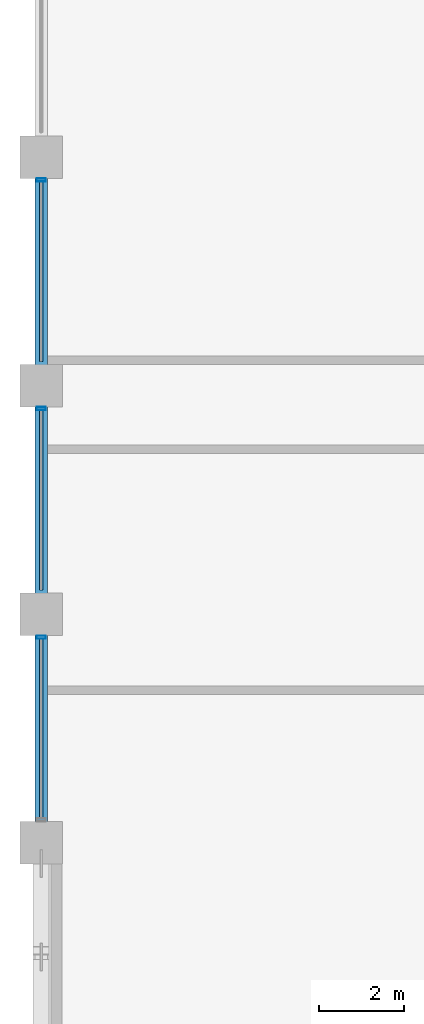
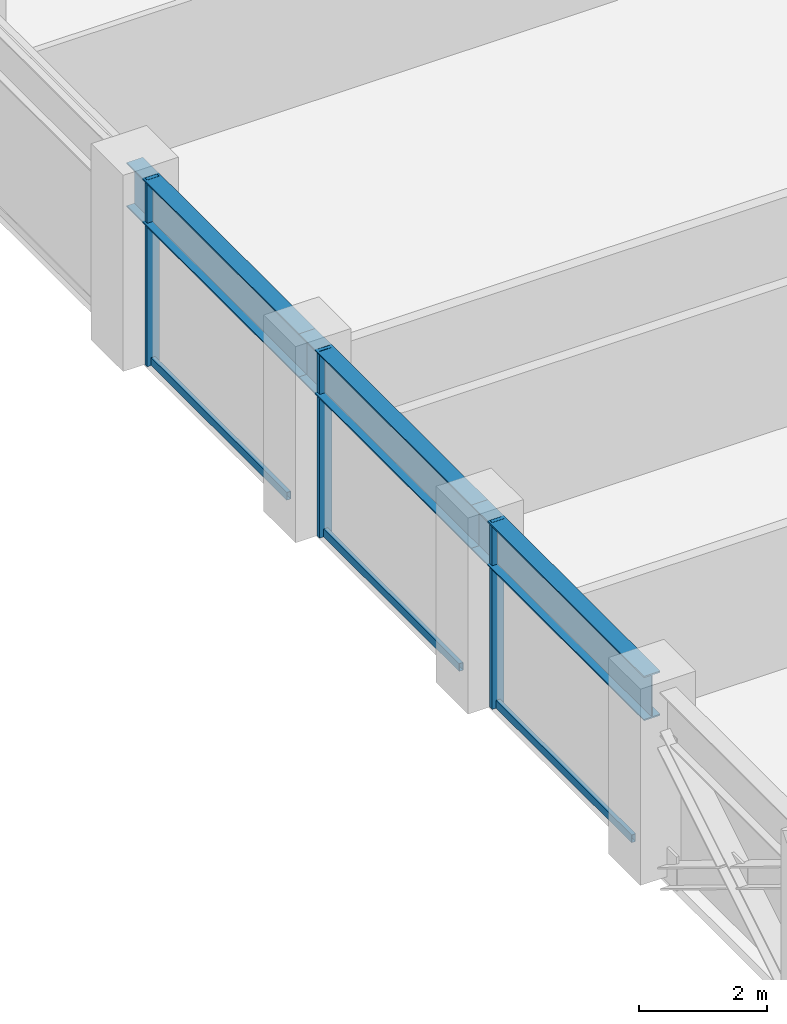
# One storey, part 6 of 23: 6 members, 3 beams, 1 element without a shape of its own.
"""IFC4 building model written with IfcOpenShell, lengths in metres."""

from ifc_helpers import new_model, si_unit, direction, frame, origin, origin_2d, place, context, subcontext, project, spatial, hollow_rectangle, i_section, extrude, material, layer, layer_set, material_profile, profile_set, type_object, element, aggregate, save


model = new_model("IFC4")

# Units and contexts
model_context = context("Model", 3, precision=1e-05, world=origin(), true_north=direction((0.0, 1.0)))
body_context = subcontext(model_context, "Body", "Model", "MODEL_VIEW")
ifc_project = project(units=[si_unit("LENGTHUNIT", "METRE"), si_unit("AREAUNIT", "SQUARE_METRE"), si_unit("VOLUMEUNIT", "CUBIC_METRE"), si_unit("PLANEANGLEUNIT", "RADIAN"), si_unit("MASSUNIT", "GRAM", prefix="KILO")], contexts=[model_context])

# Site, building, storey
site_placement = place(None, origin())
site = spatial("IfcSite", under=ifc_project, at=site_placement, CompositionType="ELEMENT")
building_placement = place(site_placement, origin())
building = spatial("IfcBuilding", under=site, at=building_placement, Name="Surkhivell Harbour Commons", CompositionType="ELEMENT")
storey_placement = place(building_placement, frame((0.0, 0.0, 135.75)))
storey = spatial("IfcBuildingStorey", under=building, at=storey_placement, Name="L35", CompositionType="ELEMENT", Elevation=135.75)

# Beams
ifc_material_1 = material(Name="Steel S460", Category="steel")
ifc_material_profile_1 = material_profile(ifc_material_1, i_section(OverallWidth=0.2939453125, OverallDepth=0.85107421875, WebThickness=0.01611328125, FlangeThickness=0.02685546875, at=origin_2d()), Name="UB838x292x226")
ifc_profile_set_1 = profile_set([ifc_material_profile_1], Name="Steel S460")
beam_type = type_object("IfcBeamType", Name="BM-SPN-838", PredefinedType="SPANDREL", material=ifc_profile_set_1)
beam_placement = place(storey_placement, frame((-32.39990234375, -10.800048828125, 3.14453125), z_axis=(0.0, 1.0, 0.0), x_axis=(-1.0, 0.0, 0.0)))
element("IfcBeam", 1, at=beam_placement, inside=storey, type_object=beam_type, Name="L35 Tube Spandrel (-32.4,-10.8)", PredefinedType="SPANDREL", context=body_context, shape_type="SweptSolid", body=[
    extrude(i_section(OverallWidth=0.2939453125, OverallDepth=0.85107421875, WebThickness=0.01611328125, FlangeThickness=0.02685546875, at=origin_2d()), origin(), (0.0, 0.0, 1.0), 5.400146484375),
])
for number, where, z_axis, x_axis, name in (
    (2, (-32.39990234375, -5.39990234375, 3.14453125), (0.0, 1.0, 0.0), (-1.0, 0.0, 0.0), "L35 Tube Spandrel (-32.4,-5.4)"),
    (3, (-32.39990234375, 0.0, 3.14453125), (0.0, 1.0, 0.0), (-1.0, 0.0, 0.0), "L35 Tube Spandrel (-32.4,0.0)"),
):
    element("IfcBeam", number, at=place(storey_placement, frame(where, z_axis=z_axis, x_axis=x_axis)), inside=storey, type_object=beam_type, Name=name, PredefinedType="SPANDREL", context=body_context, shape_type="SweptSolid", body=[
        extrude(i_section(OverallWidth=0.2939453125, OverallDepth=0.85107421875, WebThickness=0.01611328125, FlangeThickness=0.02685546875, at=origin_2d()), origin(), (0.0, 0.0, 1.0), 5.39990234375),
    ])

# Curtain wall, members
ifc_material_2 = material(Name="Anodised pale-metal aluminium and insulated glazing", Category="aluminium")
ifc_layer = layer(ifc_material_2, 0.205078125)
ifc_layer_set = layer_set([ifc_layer], Name="Anodised pale-metal aluminium and insulated glazing")
curtain_wall_type = type_object("IfcCurtainWallType", Name="CW-SYS-Z2", PredefinedType="NOTDEFINED", material=ifc_layer_set)
curtain_wall_placement = place(storey_placement, origin())
curtain_wall = element("IfcCurtainWall", 4, at=curtain_wall_placement, inside=storey, type_object=curtain_wall_type, Name="L35 Curtain Wall CW-L35-E12S1", PredefinedType="NOTDEFINED")
ifc_material_3 = material(Name="Anodised pale-metal aluminium alloy 6063-T6", Category="aluminium")
ifc_material_profile_2 = material_profile(ifc_material_3, hollow_rectangle(XDim=0.074951171875, YDim=0.219970703125, WallThickness=0.00390625, at=origin_2d()), Name="ALU-MULL-75x220")
ifc_profile_set_2 = profile_set([ifc_material_profile_2], Name="Anodised pale-metal aluminium alloy 6063-T6")
member_type_1 = type_object("IfcMemberType", Name="CWM-220", PredefinedType="MULLION", material=ifc_profile_set_2)
member_1_placement = place(storey_placement, frame((-32.39990234375, 4.860595703125, 0.0), z_axis=(0.0, 0.0, 1.0), x_axis=(0.0, -1.0, 0.0)))
member_1 = element("IfcMember", 5, at=member_1_placement, type_object=member_type_1, Name="CW-Z2 mullion 4", PredefinedType="MULLION", context=body_context, shape_type="SweptSolid", body=[
    extrude(hollow_rectangle(XDim=0.074951171875, YDim=0.219970703125, WallThickness=0.00390625, at=origin_2d()), origin(), (0.0, 0.0, 1.0), 3.570068359375),
])
member_2_placement = place(storey_placement, frame((-32.39990234375, -0.53955078125, 0.0), z_axis=(0.0, 0.0, 1.0), x_axis=(0.0, -1.0, 0.0)))
member_2 = element("IfcMember", 6, at=member_2_placement, type_object=member_type_1, Name="CW-Z2 mullion 5", PredefinedType="MULLION", context=body_context, shape_type="SweptSolid", body=[
    extrude(hollow_rectangle(XDim=0.074951171875, YDim=0.219970703125, WallThickness=0.00390625, at=origin_2d()), origin(), (0.0, 0.0, 1.0), 3.570068359375),
])
member_3_placement = place(storey_placement, frame((-32.39990234375, -5.939453125, 0.0), z_axis=(0.0, 0.0, 1.0), x_axis=(0.0, -1.0, 0.0)))
member_3 = element("IfcMember", 7, at=member_3_placement, type_object=member_type_1, Name="CW-Z2 mullion 6", PredefinedType="MULLION", context=body_context, shape_type="SweptSolid", body=[
    extrude(hollow_rectangle(XDim=0.074951171875, YDim=0.219970703125, WallThickness=0.00390625, at=origin_2d()), origin(), (0.0, 0.0, 1.0), 3.570068359375),
])
ifc_material_profile_3 = material_profile(ifc_material_3, hollow_rectangle(XDim=0.074951171875, YDim=0.14990234375, WallThickness=0.00341796875, at=origin_2d()), Name="ALU-TRAN-75x150")
ifc_profile_set_3 = profile_set([ifc_material_profile_3], Name="Anodised pale-metal aluminium alloy 6063-T6")
member_type_2 = type_object("IfcMemberType", Name="CWT-150", PredefinedType="USERDEFINED", material=ifc_profile_set_3)
member_4_placement = place(storey_placement, frame((-32.39990234375, 4.822998046875, 0.074951171875), z_axis=(0.0, -1.0, 0.0), x_axis=(1.0, 0.0, 0.0)))
member_4 = element("IfcMember", 8, at=member_4_placement, type_object=member_type_2, Name="CW-Z2 transom 4.1", ObjectType="TRANSOM", PredefinedType="USERDEFINED", context=body_context, shape_type="SweptSolid", body=[
    extrude(hollow_rectangle(XDim=0.074951171875, YDim=0.14990234375, WallThickness=0.00341796875, at=origin_2d()), origin(), (0.0, 0.0, 1.0), 4.24609375),
])
member_5_placement = place(storey_placement, frame((-32.39990234375, -0.576904296875, 0.074951171875), z_axis=(0.0, -1.0, 0.0), x_axis=(1.0, 0.0, 0.0)))
member_5 = element("IfcMember", 9, at=member_5_placement, type_object=member_type_2, Name="CW-Z2 transom 5.1", ObjectType="TRANSOM", PredefinedType="USERDEFINED", context=body_context, shape_type="SweptSolid", body=[
    extrude(hollow_rectangle(XDim=0.074951171875, YDim=0.14990234375, WallThickness=0.00341796875, at=origin_2d()), origin(), (0.0, 0.0, 1.0), 4.24609375),
])
member_6_placement = place(storey_placement, frame((-32.39990234375, -5.97705078125, 0.074951171875), z_axis=(0.0, -1.0, 0.0), x_axis=(1.0, 0.0, 0.0)))
member_6 = element("IfcMember", 10, at=member_6_placement, type_object=member_type_2, Name="CW-Z2 transom 6.1", ObjectType="TRANSOM", PredefinedType="USERDEFINED", context=body_context, shape_type="SweptSolid", body=[
    extrude(hollow_rectangle(XDim=0.074951171875, YDim=0.14990234375, WallThickness=0.00341796875, at=origin_2d()), origin(), (0.0, 0.0, 1.0), 4.245849609375),
])
aggregate(curtain_wall, [member_1, member_4, member_2, member_5, member_3, member_6])

save(model, "model.ifc")
